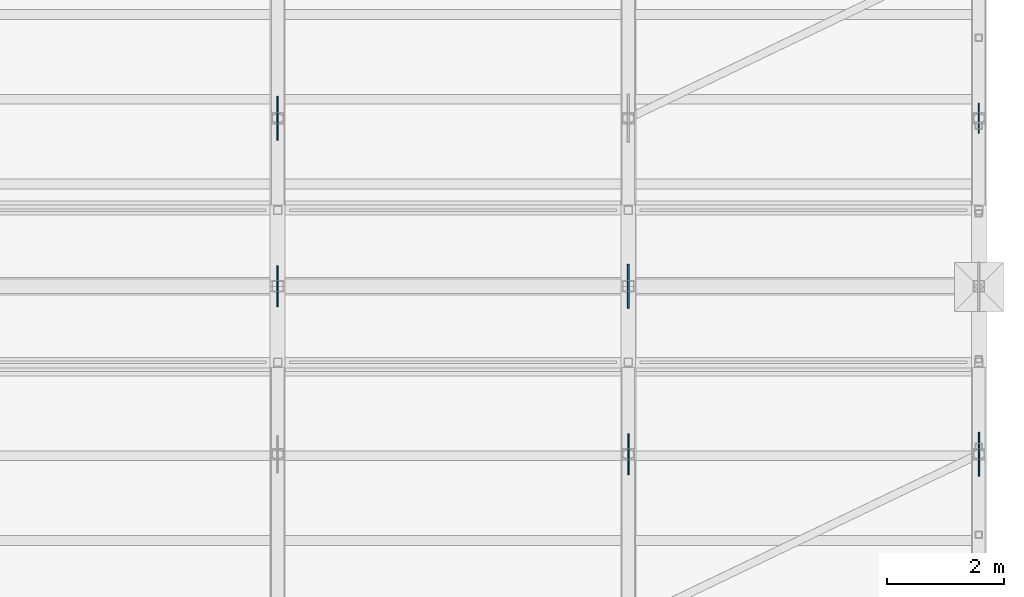
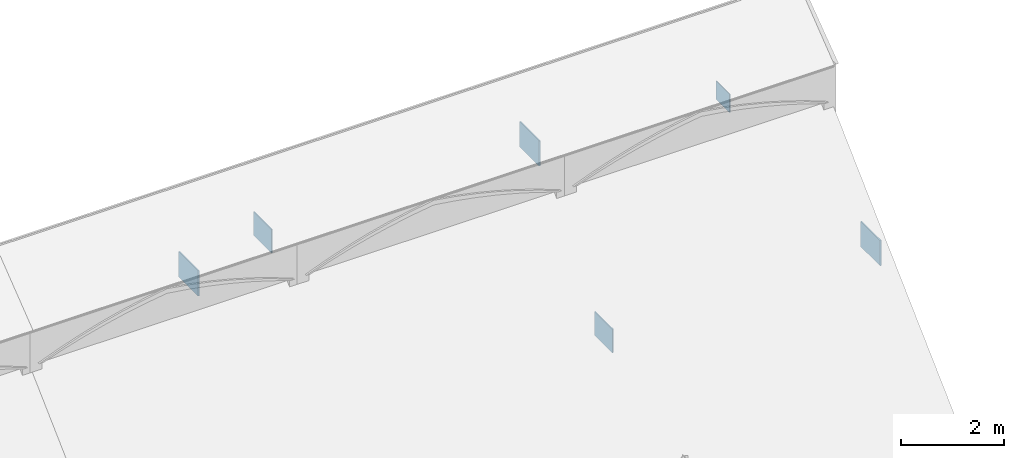
# One storey, part 18 of 33: 6 plates.
"""IFC4 building model written with IfcOpenShell, lengths in metres."""

from ifc_helpers import new_model, si_unit, direction, frame, origin, origin_2d, place, context, subcontext, project, spatial, rectangle, extrude, material, layer, layer_set, type_object, element, save


model = new_model("IFC4")

# Units and contexts
model_context = context("Model", 3, precision=1e-05, world=origin(), true_north=direction((0.0, 1.0)))
body_context = subcontext(model_context, "Body", "Model", "MODEL_VIEW")
ifc_project = project(units=[si_unit("LENGTHUNIT", "METRE"), si_unit("AREAUNIT", "SQUARE_METRE"), si_unit("VOLUMEUNIT", "CUBIC_METRE"), si_unit("PLANEANGLEUNIT", "RADIAN"), si_unit("MASSUNIT", "GRAM", prefix="KILO")], contexts=[model_context])

# Site, building, storey
site_placement = place(None, origin())
site = spatial("IfcSite", under=ifc_project, at=site_placement, CompositionType="ELEMENT")
building_placement = place(site_placement, origin())
building = spatial("IfcBuilding", under=site, at=building_placement, Name="Cumevento Cable Car Station", CompositionType="ELEMENT")
storey_placement = place(building_placement, frame((0.0, 0.0, 22.5)))
storey = spatial("IfcBuildingStorey", under=building, at=storey_placement, Name="RF", CompositionType="ELEMENT", Elevation=22.5)

# Plates
ifc_material_1 = material(Name="Steel ASTM A572 Grade 50", Category="steel")
ifc_layer_1 = layer(ifc_material_1, 0.02001953125)
ifc_layer_set_1 = layer_set([ifc_layer_1], Name="Steel ASTM A572 Grade 50")
plate_type_1 = type_object("IfcPlateType", Name="Steel Plate GP-01 520x20x440", PredefinedType="USERDEFINED", material=ifc_layer_set_1)
plate_placement = place(storey_placement, frame((118.0, 53.625, 2.98828125), z_axis=(0.0, 0.0, 1.0), x_axis=(0.0, 1.0, 0.0)))
element("IfcPlate", 1, at=plate_placement, inside=storey, type_object=plate_type_1, Name="Boarding Hall Truss Gusset Plate #50", ObjectType="GUSSET_PLATE", PredefinedType="USERDEFINED", context=body_context, shape_type="SweptSolid", body=[
    extrude(rectangle(XDim=0.52001953125, YDim=0.02001953125, at=origin_2d()), origin(), (0.0, 0.0, 1.0), 0.43994140625),
])
ifc_material_2 = material(Name="Steel ASTM A572 Grade 50", Category="steel")
ifc_layer_2 = layer(ifc_material_2, 0.02587890625)
ifc_layer_set_2 = layer_set([ifc_layer_2], Name="Steel ASTM A572 Grade 50")
plate_type_2 = type_object("IfcPlateType", Name="Steel Plate GP-04 700x26x560", PredefinedType="USERDEFINED", material=ifc_layer_set_2)
for number, where, z_axis, x_axis, name in (
    (2, (106.0, 50.75, 5.656494140625), (0.0, 0.0, 1.0), (0.0, 1.0, 0.0), "Boarding Hall Truss Gusset Plate #39"),
    (3, (112.0, 47.875, 2.92822265625), (0.0, 0.0, 1.0), (0.0, 1.0, 0.0), "Boarding Hall Truss Gusset Plate #43"),
):
    element("IfcPlate", number, at=place(storey_placement, frame(where, z_axis=z_axis, x_axis=x_axis)), inside=storey, type_object=plate_type_2, Name=name, ObjectType="GUSSET_PLATE", PredefinedType="USERDEFINED", context=body_context, shape_type="SweptSolid", body=[
        extrude(rectangle(XDim=0.699951171875, YDim=0.02587890625, at=origin_2d()), origin(), (0.0, 0.0, 1.0), 0.56005859375),
    ])
ifc_material_3 = material(Name="Steel ASTM A572 Grade 50", Category="steel")
ifc_layer_3 = layer(ifc_material_3, 0.028076171875)
ifc_layer_set_3 = layer_set([ifc_layer_3], Name="Steel ASTM A572 Grade 50")
plate_type_3 = type_object("IfcPlateType", Name="Steel Plate GP-05 760x28x600", PredefinedType="USERDEFINED", material=ifc_layer_set_3)
for number, where, z_axis, x_axis, name in (
    (4, (106.0, 53.625, 2.908203125), (0.0, 0.0, 1.0), (0.0, 1.0, 0.0), "Boarding Hall Truss Gusset Plate #40"),
    (5, (112.0, 50.75, 5.636474609375), (0.0, 0.0, 1.0), (0.0, 1.0, 0.0), "Boarding Hall Truss Gusset Plate #44"),
    (6, (118.0, 47.875, 2.908203125), (0.0, 0.0, 1.0), (0.0, 1.0, 0.0), "Boarding Hall Truss Gusset Plate #48"),
):
    element("IfcPlate", number, at=place(storey_placement, frame(where, z_axis=z_axis, x_axis=x_axis)), inside=storey, type_object=plate_type_3, Name=name, ObjectType="GUSSET_PLATE", PredefinedType="USERDEFINED", context=body_context, shape_type="SweptSolid", body=[
        extrude(rectangle(XDim=0.760009765625, YDim=0.028076171875, at=origin_2d()), origin(), (0.0, 0.0, 1.0), 0.60009765625),
    ])

save(model, "model.ifc")
